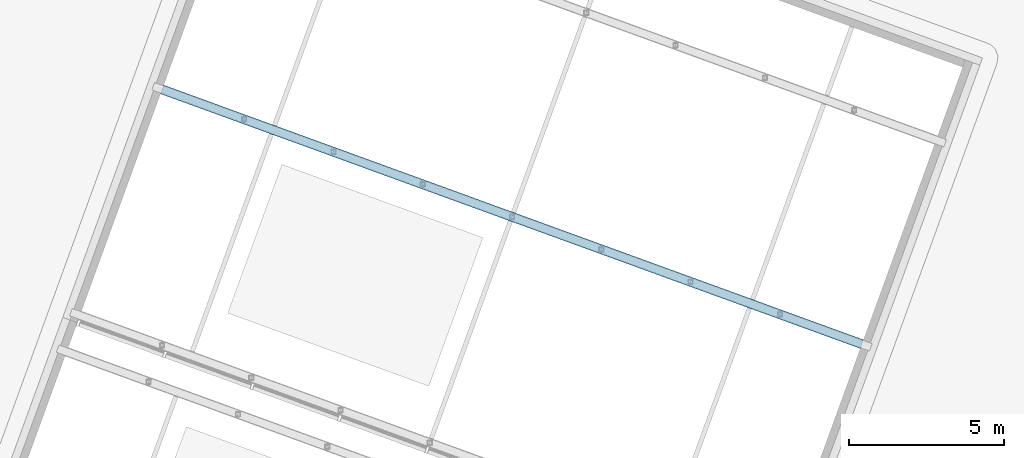
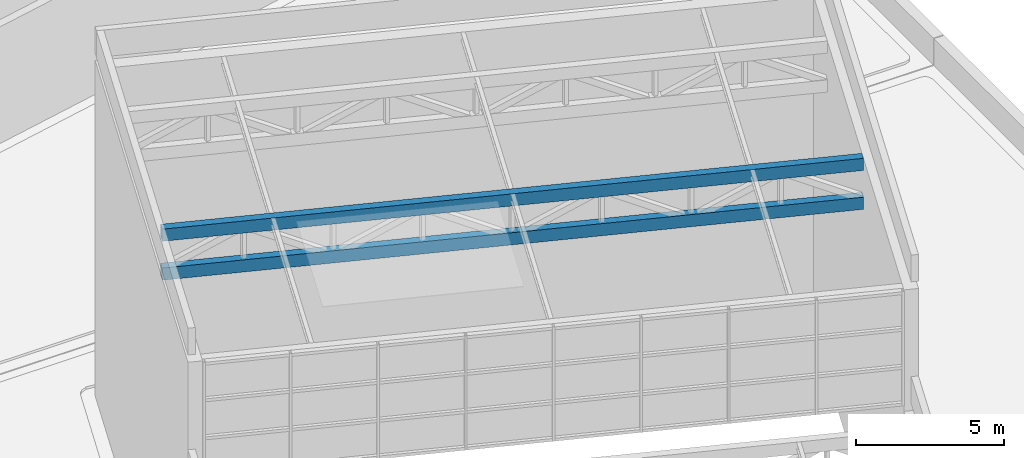
# One storey, part 38 of 72: 2 members.
"""IFC4 building model written with IfcOpenShell, lengths in metres."""

from ifc_helpers import new_model, si_unit, direction, frame, origin, origin_2d, place, context, subcontext, project, spatial, hollow_rectangle, extrude, material, material_profile, profile_set, type_object, element, save


model = new_model("IFC4")

# Units and contexts
model_context = context("Model", 3, precision=1e-05, world=origin(), true_north=direction((0.0, 1.0)))
body_context = subcontext(model_context, "Body", "Model", "MODEL_VIEW")
ifc_project = project(units=[si_unit("LENGTHUNIT", "METRE"), si_unit("AREAUNIT", "SQUARE_METRE"), si_unit("VOLUMEUNIT", "CUBIC_METRE"), si_unit("PLANEANGLEUNIT", "RADIAN"), si_unit("MASSUNIT", "GRAM", prefix="KILO")], contexts=[model_context])

# Site, building, storey
site_placement = place(None, origin())
site = spatial("IfcSite", under=ifc_project, at=site_placement, CompositionType="ELEMENT")
building_placement = place(site_placement, origin())
building = spatial("IfcBuilding", under=site, at=building_placement, Name="Nzadi Deep Aquarium and Research Tower", CompositionType="ELEMENT")
storey_placement = place(building_placement, frame((0.0, 0.0, 31.89990234375)))
storey = spatial("IfcBuildingStorey", under=building, at=storey_placement, Name="L05", CompositionType="ELEMENT", Elevation=31.89990234375)

# Members
ifc_material = material(Name="Steel S355", Category="steel")
ifc_material_profile = material_profile(ifc_material, hollow_rectangle(XDim=0.300048828125, YDim=0.5, WallThickness=0.01611328125, at=origin_2d()))
ifc_profile_set = profile_set([ifc_material_profile], Name="Steel S355")
member_type = type_object("IfcMemberType", Name="RHS 500x300x16 chord", PredefinedType="CHORD", material=ifc_profile_set)
for number, where, z_axis, x_axis, name in (
    (1, (20.259765625, 81.82177734375, 13.550048828125), (0.939692994673, -0.342019116079, 0.0), (0.342019116079, 0.939692994673, 0.0), "MB-PR-R2-T2-TOP"),
    (2, (20.259765625, 81.82177734375, 11.9501953125), (0.939692994673, -0.342019116079, 0.0), (0.342019116079, 0.939692994673, 0.0), "MB-PR-R2-T2-BOT"),
):
    element("IfcMember", number, at=place(storey_placement, frame(where, z_axis=z_axis, x_axis=x_axis)), inside=storey, type_object=member_type, Name=name, PredefinedType="CHORD", context=body_context, shape_type="SweptSolid", body=[
        extrude(hollow_rectangle(XDim=0.300048828125, YDim=0.5, WallThickness=0.01611328125, at=origin_2d()), origin(), (0.0, 0.0, 1.0), 24.0),
    ])

save(model, "model.ifc")
